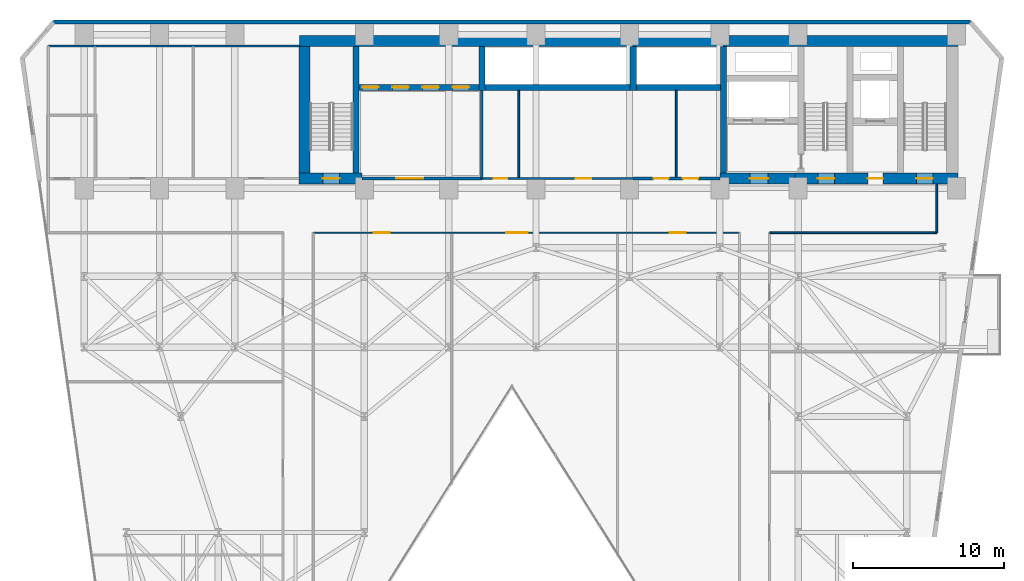
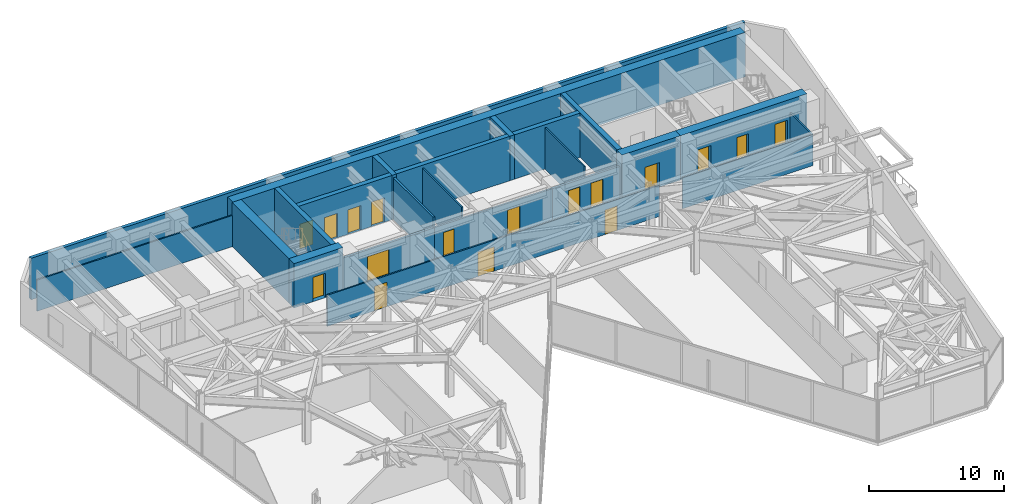
# One storey, part 20 of 24: 23 walls, 17 doors, 17 openings.
"""IFC4 building model written with IfcOpenShell, lengths in metres."""

from ifc_helpers import new_model, si_unit, direction, frame, frame_2d, origin, place, context, subcontext, project, spatial, rectangle, extrude, material, layer, layer_set, type_object, element, fill, save


model = new_model("IFC4")

# Units and contexts
model_context = context("Model", 3, precision=1e-05, world=origin(), true_north=direction((0.0, 1.0)))
body_context = subcontext(model_context, "Body", "Model", "MODEL_VIEW")
ifc_project = project(units=[si_unit("LENGTHUNIT", "METRE"), si_unit("AREAUNIT", "SQUARE_METRE"), si_unit("VOLUMEUNIT", "CUBIC_METRE"), si_unit("PLANEANGLEUNIT", "RADIAN"), si_unit("MASSUNIT", "GRAM", prefix="KILO")], contexts=[model_context])

# Site, building, storey
site_placement = place(None, origin())
site = spatial("IfcSite", under=ifc_project, at=site_placement, CompositionType="ELEMENT")
building_placement = place(site_placement, origin())
building = spatial("IfcBuilding", under=site, at=building_placement, Name="Kravanh Interchange Tower", CompositionType="ELEMENT")
storey_placement = place(building_placement, frame((0.0, 0.0, 37.5)))
storey = spatial("IfcBuildingStorey", under=building, at=storey_placement, Name="L08", CompositionType="ELEMENT", Elevation=37.5)

# Walls
ifc_material_1 = material(Name="Double Acoustic Gypsum Board and Mineral Wool")
ifc_layer_1 = layer(ifc_material_1, 0.1201171875)
ifc_layer_set_1 = layer_set([ifc_layer_1], Name="Acoustic Office Drywall Partition 120mm")
wall_type_1 = type_object("IfcWallType", Name="Acoustic Office Drywall Partition 120mm", PredefinedType="PARTITIONING", material=ifc_layer_set_1)
for number, where, z_axis, x_axis, name in (
    (1, (47.89990234375, 38.068115234375, 0.0), (0.0, 0.0, 1.0), (0.0, 1.0, 0.0), "L08 Interior Partition 2"),
    (2, (37.449951171875, 38.068115234375, 0.0), (0.0, 0.0, 1.0), (0.0, 1.0, 0.0), "L08 Interior Partition 6"),
):
    element("IfcWall", number, at=place(storey_placement, frame(where, z_axis=z_axis, x_axis=x_axis)), inside=storey, type_object=wall_type_1, Name=name, PredefinedType="PARTITIONING", context=body_context, shape_type="SweptSolid", body=[
        extrude(rectangle(XDim=5.77392578125, YDim=0.1201171875, at=frame_2d((2.886962890625, 0.0))), origin(), (0.0, 0.0, 1.0), 3.739990234375),
    ])
wall_1_placement = place(storey_placement, frame((6.219970703125, 46.800048828125, 0.0), z_axis=(0.0, 0.0, 1.0), x_axis=(1.0, 0.0, 0.0)))
element("IfcWall", 3, at=wall_1_placement, inside=storey, type_object=wall_type_1, Name="L08 Restroom North Enclosure 9", PredefinedType="PARTITIONING", context=body_context, shape_type="SweptSolid", body=[
    extrude(rectangle(XDim=16.679931640625, YDim=0.1201171875, at=frame_2d((8.33984375, 0.0))), origin(), (0.0, 0.0, 1.0), 2.81298828125),
])

# Wall, openings, doors
wall_2_placement = place(storey_placement, frame((23.800048828125, 34.39990234375, 0.0), z_axis=(0.0, 0.0, 1.0), x_axis=(1.0, 0.0, 0.0)))
wall_2 = element("IfcWall", 4, at=wall_2_placement, inside=storey, type_object=wall_type_1, Name="L08 Interior Partition 14", PredefinedType="PARTITIONING", context=body_context, shape_type="SweptSolid", body=[
    extrude(rectangle(XDim=28.300048828125, YDim=0.1201171875, at=frame_2d((14.14990234375, 0.0))), origin(), (0.0, 0.0, 1.0), 2.81298828125),
])
opening_1_placement = place(wall_2_placement, frame((4.03466796875, 0.0, 0.0)))
opening_1 = element("IfcOpeningElement", 5, at=opening_1_placement, cuts=wall_2, Name="Opening D-105", PredefinedType="OPENING", context=body_context, shape_type="SweptSolid", body=[
    extrude(rectangle(XDim=1.050048828125, YDim=2.199951171875, at=frame_2d((0.52490234375, 1.10009765625))), frame((0.0, 0.070068359375, 0.0), z_axis=(0.0, -1.0, 0.0), x_axis=(1.0, 0.0, 0.0)), (0.0, 0.0, 1.0), 0.14013671875),
])
opening_2_placement = place(wall_2_placement, frame((12.832275390625, 0.0, 0.0)))
opening_2 = element("IfcOpeningElement", 6, at=opening_2_placement, cuts=wall_2, Name="Opening DBL-140", PredefinedType="OPENING", context=body_context, shape_type="SweptSolid", body=[
    extrude(rectangle(XDim=1.39990234375, YDim=2.199951171875, at=frame_2d((0.699951171875, 1.10009765625))), frame((0.0, 0.070068359375, 0.0), z_axis=(0.0, -1.0, 0.0), x_axis=(1.0, 0.0, 0.0)), (0.0, 0.0, 1.0), 0.14013671875),
])
opening_3_placement = place(wall_2_placement, frame((23.6845703125, 0.0, 0.0)))
opening_3 = element("IfcOpeningElement", 7, at=opening_3_placement, cuts=wall_2, Name="Opening D-105", PredefinedType="OPENING", context=body_context, shape_type="SweptSolid", body=[
    extrude(rectangle(XDim=1.050048828125, YDim=2.199951171875, at=frame_2d((0.52490234375, 1.10009765625))), frame((0.0, 0.070068359375, 0.0), z_axis=(0.0, -1.0, 0.0), x_axis=(1.0, 0.0, 0.0)), (0.0, 0.0, 1.0), 0.14013671875),
])
ifc_material_2 = material(Name="Acoustic Bronze-Framed Glass", Category="glass")
door_type_1 = type_object("IfcDoorType", Name="Hospitality Lounge Double Door 1400x2200", OperationType="DOUBLE_DOOR_SINGLE_SWING", PredefinedType="DOOR", material=ifc_material_2)
door_1_placement = place(opening_2_placement, origin())
door_1 = element("IfcDoor", 8, at=door_1_placement, inside=storey, type_object=door_type_1, Name="L08 Design Studio Office Door", OperationType="DOUBLE_DOOR_SINGLE_SWING", OverallHeight=2.199951171875, OverallWidth=1.39990234375, PredefinedType="DOOR", context=body_context, shape_type="SweptSolid", body=[
    extrude(rectangle(XDim=1.39990234375, YDim=2.199951171875, at=frame_2d((0.699951171875, 1.10009765625))), frame((0.0, 0.02490234375, 0.0), z_axis=(0.0, -1.0, 0.0), x_axis=(1.0, 0.0, 0.0)), (0.0, 0.0, 1.0), 0.050048828125),
])
fill(opening_2, door_1)
ifc_material_3 = material(Name="Acoustic Glazed Oak and Aluminium", Category="aluminium")
door_type_2 = type_object("IfcDoorType", Name="Office Workplace Door 1050x2200", OperationType="NOTDEFINED", PredefinedType="DOOR", material=ifc_material_3)
door_2_placement = place(opening_1_placement, origin())
door_2 = element("IfcDoor", 9, at=door_2_placement, inside=storey, type_object=door_type_2, Name="L08 Central Townhall Meeting Hall Door", OperationType="SINGLE_SWING_RIGHT", OverallHeight=2.199951171875, OverallWidth=1.050048828125, PredefinedType="DOOR", context=body_context, shape_type="SweptSolid", body=[
    extrude(rectangle(XDim=1.050048828125, YDim=2.199951171875, at=frame_2d((0.52490234375, 1.10009765625))), frame((0.0, 0.02490234375, 0.0), z_axis=(0.0, -1.0, 0.0), x_axis=(1.0, 0.0, 0.0)), (0.0, 0.0, 1.0), 0.050048828125),
])
fill(opening_1, door_2)
door_3_placement = place(opening_3_placement, origin())
door_3 = element("IfcDoor", 10, at=door_3_placement, inside=storey, type_object=door_type_2, Name="L08 Espresso Pantry Kitchenette Door", OperationType="SINGLE_SWING_LEFT", OverallHeight=2.199951171875, OverallWidth=1.050048828125, PredefinedType="DOOR", context=body_context, shape_type="SweptSolid", body=[
    extrude(rectangle(XDim=1.050048828125, YDim=2.199951171875, at=frame_2d((0.52490234375, 1.10009765625))), frame((0.0, 0.02490234375, 0.0), z_axis=(0.0, -1.0, 0.0), x_axis=(1.0, 0.0, 0.0)), (0.0, 0.0, 1.0), 0.050048828125),
])
fill(opening_3, door_3)

# Walls
wall_3_placement = place(storey_placement, frame((54.10009765625, 34.39990234375, 0.0), z_axis=(0.0, 0.0, 1.0), x_axis=(1.0, 0.0, 0.0)))
element("IfcWall", 11, at=wall_3_placement, inside=storey, type_object=wall_type_1, Name="L08 Interior Partition 15", PredefinedType="PARTITIONING", context=body_context, shape_type="SweptSolid", body=[
    extrude(rectangle(XDim=11.099853515625, YDim=0.1201171875, at=frame_2d((5.5498046875, 0.0))), origin(), (0.0, 0.0, 1.0), 2.81298828125),
])
wall_4_placement = place(storey_placement, frame((65.199951171875, 34.39990234375, 0.0), z_axis=(0.0, 0.0, 1.0), x_axis=(0.0, 1.0, 0.0)))
element("IfcWall", 12, at=wall_4_placement, inside=storey, type_object=wall_type_1, Name="L08 Interior Partition 17", PredefinedType="PARTITIONING", context=body_context, shape_type="SweptSolid", body=[
    extrude(rectangle(XDim=3.217041015625, YDim=0.1201171875, at=frame_2d((1.6083984375, 0.0))), origin(), (0.0, 0.0, 1.0), 2.81298828125),
])
ifc_material_4 = material(Name="Concrete C80/95", Category="concrete")
ifc_layer_2 = layer(ifc_material_4, 0.39990234375)
ifc_layer_set_2 = layer_set([ifc_layer_2], Name="Core Shear Wall Concrete C80/95 400mm")
wall_type_2 = type_object("IfcWallType", Name="Core Shear Wall Concrete C80/95 400mm", PredefinedType="SHEAR", material=ifc_layer_set_2)
wall_5_placement = place(storey_placement, frame((51.050048828125, 38.375, 0.0), z_axis=(0.0, 0.0, 1.0), x_axis=(0.0, 1.0, 0.0)))
element("IfcWall", 13, at=wall_5_placement, inside=storey, type_object=wall_type_2, Name="L08 Firefighting Lobby West Wall", PredefinedType="SHEAR", context=body_context, shape_type="SweptSolid", body=[
    extrude(rectangle(XDim=8.375, YDim=0.39990234375, at=frame_2d((4.1875, 0.0))), origin(), (0.0, 0.0, 1.0), 4.0),
])
wall_6_placement = place(storey_placement, frame((45.25, 44.050048828125, 0.0), z_axis=(0.0, 0.0, 1.0), x_axis=(1.0, 0.0, 0.0)))
element("IfcWall", 14, at=wall_6_placement, inside=storey, type_object=wall_type_2, Name="L08 High-Rise Lift Shaft South Wall", PredefinedType="SHEAR", context=body_context, shape_type="SweptSolid", body=[
    extrude(rectangle(XDim=5.60009765625, YDim=0.39990234375, at=frame_2d((2.800048828125, 0.0))), origin(), (0.0, 0.0, 1.0), 4.0),
])
wall_7_placement = place(storey_placement, frame((45.050048828125, 43.85009765625, 0.0), z_axis=(0.0, 0.0, 1.0), x_axis=(0.0, 1.0, 0.0)))
element("IfcWall", 15, at=wall_7_placement, inside=storey, type_object=wall_type_2, Name="L08 High-Rise Lift Shaft West Wall", PredefinedType="SHEAR", context=body_context, shape_type="SweptSolid", body=[
    extrude(rectangle(XDim=2.89990234375, YDim=0.39990234375, at=frame_2d((1.449951171875, 0.0))), origin(), (0.0, 0.0, 1.0), 4.0),
])
wall_8_placement = place(storey_placement, frame((35.199951171875, 44.050048828125, 0.0), z_axis=(0.0, 0.0, 1.0), x_axis=(1.0, 0.0, 0.0)))
element("IfcWall", 16, at=wall_8_placement, inside=storey, type_object=wall_type_2, Name="L08 Mid-Rise Lift Shaft South Wall", PredefinedType="SHEAR", context=body_context, shape_type="SweptSolid", body=[
    extrude(rectangle(XDim=9.650146484375, YDim=0.39990234375, at=frame_2d((4.8251953125, 0.0))), origin(), (0.0, 0.0, 1.0), 4.0),
])
wall_9_placement = place(storey_placement, frame((35.0, 43.85009765625, 0.0), z_axis=(0.0, 0.0, 1.0), x_axis=(0.0, 1.0, 0.0)))
element("IfcWall", 17, at=wall_9_placement, inside=storey, type_object=wall_type_2, Name="L08 Mid-Rise Lift Shaft West Wall", PredefinedType="SHEAR", context=body_context, shape_type="SweptSolid", body=[
    extrude(rectangle(XDim=2.89990234375, YDim=0.39990234375, at=frame_2d((1.449951171875, 0.0))), origin(), (0.0, 0.0, 1.0), 4.0),
])

# Wall, openings, doors
wall_10_placement = place(storey_placement, frame((26.85009765625, 44.050048828125, 0.0), z_axis=(0.0, 0.0, 1.0), x_axis=(1.0, 0.0, 0.0)))
wall_10 = element("IfcWall", 18, at=wall_10_placement, inside=storey, type_object=wall_type_2, Name="L08 Low-Rise Lift Shaft South Wall", PredefinedType="SHEAR", context=body_context, shape_type="SweptSolid", body=[
    extrude(rectangle(XDim=7.949951171875, YDim=0.39990234375, at=frame_2d((3.97509765625, 0.0))), origin(), (0.0, 0.0, 1.0), 4.0),
])
opening_4_placement = place(wall_10_placement, frame((0.199951171875, 0.0, 0.0)))
opening_4 = element("IfcOpeningElement", 19, at=opening_4_placement, cuts=wall_10, Name="Opening LD01", PredefinedType="OPENING", context=body_context, shape_type="SweptSolid", body=[
    extrude(rectangle(XDim=1.10009765625, YDim=2.199951171875, at=frame_2d((0.550048828125, 1.10009765625))), frame((0.0, 0.2099609375, 0.0), z_axis=(0.0, -1.0, 0.0), x_axis=(1.0, 0.0, 0.0)), (0.0, 0.0, 1.0), 0.419921875),
])
opening_5_placement = place(wall_10_placement, frame((2.199951171875, 0.0, 0.0)))
opening_5 = element("IfcOpeningElement", 20, at=opening_5_placement, cuts=wall_10, Name="Opening LD01", PredefinedType="OPENING", context=body_context, shape_type="SweptSolid", body=[
    extrude(rectangle(XDim=1.10009765625, YDim=2.199951171875, at=frame_2d((0.550048828125, 1.10009765625))), frame((0.0, 0.2099609375, 0.0), z_axis=(0.0, -1.0, 0.0), x_axis=(1.0, 0.0, 0.0)), (0.0, 0.0, 1.0), 0.419921875),
])
opening_6_placement = place(wall_10_placement, frame((4.199951171875, 0.0, 0.0)))
opening_6 = element("IfcOpeningElement", 21, at=opening_6_placement, cuts=wall_10, Name="Opening LD01", PredefinedType="OPENING", context=body_context, shape_type="SweptSolid", body=[
    extrude(rectangle(XDim=1.10009765625, YDim=2.199951171875, at=frame_2d((0.550048828125, 1.10009765625))), frame((0.0, 0.2099609375, 0.0), z_axis=(0.0, -1.0, 0.0), x_axis=(1.0, 0.0, 0.0)), (0.0, 0.0, 1.0), 0.419921875),
])
opening_7_placement = place(wall_10_placement, frame((6.199951171875, 0.0, 0.0)))
opening_7 = element("IfcOpeningElement", 22, at=opening_7_placement, cuts=wall_10, Name="Opening LD01", PredefinedType="OPENING", context=body_context, shape_type="SweptSolid", body=[
    extrude(rectangle(XDim=1.10009765625, YDim=2.199951171875, at=frame_2d((0.550048828125, 1.10009765625))), frame((0.0, 0.2099609375, 0.0), z_axis=(0.0, -1.0, 0.0), x_axis=(1.0, 0.0, 0.0)), (0.0, 0.0, 1.0), 0.419921875),
])
ifc_material_5 = material(Name="Stainless Steel 304", Category="steel")
door_type_3 = type_object("IfcDoorType", Name="Passenger Lift Sliding Landing Door 1100x2200", OperationType="DOUBLE_DOOR_SLIDING", PredefinedType="DOOR", material=ifc_material_5)
door_4_placement = place(opening_4_placement, origin())
door_4 = element("IfcDoor", 23, at=door_4_placement, inside=storey, type_object=door_type_3, Name="L08 Lift LP-L1 Landing Door", OperationType="DOUBLE_DOOR_SLIDING", OverallHeight=2.199951171875, OverallWidth=1.10009765625, PredefinedType="DOOR", context=body_context, shape_type="SweptSolid", body=[
    extrude(rectangle(XDim=1.10009765625, YDim=2.199951171875, at=frame_2d((0.550048828125, 1.10009765625))), frame((0.0, 0.02490234375, 0.0), z_axis=(0.0, -1.0, 0.0), x_axis=(1.0, 0.0, 0.0)), (0.0, 0.0, 1.0), 0.050048828125),
])
fill(opening_4, door_4)
door_5_placement = place(opening_5_placement, origin())
door_5 = element("IfcDoor", 24, at=door_5_placement, inside=storey, type_object=door_type_3, Name="L08 Lift LP-L2 Landing Door", OperationType="DOUBLE_DOOR_SLIDING", OverallHeight=2.199951171875, OverallWidth=1.10009765625, PredefinedType="DOOR", context=body_context, shape_type="SweptSolid", body=[
    extrude(rectangle(XDim=1.10009765625, YDim=2.199951171875, at=frame_2d((0.550048828125, 1.10009765625))), frame((0.0, 0.02490234375, 0.0), z_axis=(0.0, -1.0, 0.0), x_axis=(1.0, 0.0, 0.0)), (0.0, 0.0, 1.0), 0.050048828125),
])
fill(opening_5, door_5)
door_6_placement = place(opening_6_placement, origin())
door_6 = element("IfcDoor", 25, at=door_6_placement, inside=storey, type_object=door_type_3, Name="L08 Lift LP-L3 Landing Door", OperationType="DOUBLE_DOOR_SLIDING", OverallHeight=2.199951171875, OverallWidth=1.10009765625, PredefinedType="DOOR", context=body_context, shape_type="SweptSolid", body=[
    extrude(rectangle(XDim=1.10009765625, YDim=2.199951171875, at=frame_2d((0.550048828125, 1.10009765625))), frame((0.0, 0.02490234375, 0.0), z_axis=(0.0, -1.0, 0.0), x_axis=(1.0, 0.0, 0.0)), (0.0, 0.0, 1.0), 0.050048828125),
])
fill(opening_6, door_6)
door_7_placement = place(opening_7_placement, origin())
door_7 = element("IfcDoor", 26, at=door_7_placement, inside=storey, type_object=door_type_3, Name="L08 Lift LP-L4 Landing Door", OperationType="DOUBLE_DOOR_SLIDING", OverallHeight=2.199951171875, OverallWidth=1.10009765625, PredefinedType="DOOR", context=body_context, shape_type="SweptSolid", body=[
    extrude(rectangle(XDim=1.10009765625, YDim=2.199951171875, at=frame_2d((0.550048828125, 1.10009765625))), frame((0.0, 0.02490234375, 0.0), z_axis=(0.0, -1.0, 0.0), x_axis=(1.0, 0.0, 0.0)), (0.0, 0.0, 1.0), 0.050048828125),
])
fill(opening_7, door_7)

# Walls
wall_11_placement = place(storey_placement, frame((26.64990234375, 38.375, 0.0), z_axis=(0.0, 0.0, 1.0), x_axis=(0.0, 1.0, 0.0)))
element("IfcWall", 27, at=wall_11_placement, inside=storey, type_object=wall_type_2, Name="L08 Stair ST3 East Shear Wall", PredefinedType="SHEAR", context=body_context, shape_type="SweptSolid", body=[
    extrude(rectangle(XDim=8.375, YDim=0.39990234375, at=frame_2d((4.1875, 0.0))), origin(), (0.0, 0.0, 1.0), 4.0),
])
ifc_material_6 = material(Name="Concrete C80/95", Category="concrete")
ifc_layer_3 = layer(ifc_material_6, 0.75)
ifc_layer_set_3 = layer_set([ifc_layer_3], Name="Core Shear Wall Concrete C80/95 750mm")
wall_type_3 = type_object("IfcWallType", Name="Core Shear Wall Concrete C80/95 750mm", PredefinedType="SHEAR", material=ifc_layer_set_3)
wall_12_placement = place(storey_placement, frame((22.89990234375, 47.125, 0.0), z_axis=(0.0, 0.0, 1.0), x_axis=(1.0, 0.0, 0.0)))
element("IfcWall", 28, at=wall_12_placement, inside=storey, type_object=wall_type_3, Name="L08 North Core Shear Wall", PredefinedType="SHEAR", context=body_context, shape_type="SweptSolid", body=[
    extrude(rectangle(XDim=43.7001953125, YDim=0.75, at=frame_2d((21.85009765625, 0.0))), origin(), (0.0, 0.0, 1.0), 4.0),
])

# Wall, openings, doors
wall_13_placement = place(storey_placement, frame((55.800048828125, 38.0, 0.0), z_axis=(0.0, 0.0, 1.0), x_axis=(1.0, 0.0, 0.0)))
wall_13 = element("IfcWall", 29, at=wall_13_placement, inside=storey, type_object=wall_type_3, Name="L08 East Core South Shear Wall", PredefinedType="SHEAR", context=body_context, shape_type="SweptSolid", body=[
    extrude(rectangle(XDim=10.800048828125, YDim=0.75, at=frame_2d((5.39990234375, 0.0))), origin(), (0.0, 0.0, 1.0), 4.0),
])
opening_8_placement = place(wall_13_placement, frame((1.5, 0.0, 0.0)))
opening_8 = element("IfcOpeningElement", 30, at=opening_8_placement, cuts=wall_13, Name="Opening D-STAIR-110", PredefinedType="OPENING", context=body_context, shape_type="SweptSolid", body=[
    extrude(rectangle(XDim=1.10009765625, YDim=2.199951171875, at=frame_2d((0.550048828125, 1.10009765625))), frame((0.0, 0.385009765625, 0.0), z_axis=(0.0, -1.0, 0.0), x_axis=(1.0, 0.0, 0.0)), (0.0, 0.0, 1.0), 0.77001953125),
])
opening_9_placement = place(wall_13_placement, frame((4.820068359375, 0.0, 0.0)))
opening_9 = element("IfcOpeningElement", 31, at=opening_9_placement, cuts=wall_13, Name="Opening D-HOTEL-100", PredefinedType="OPENING", context=body_context, shape_type="SweptSolid", body=[
    extrude(rectangle(XDim=1.0, YDim=2.14990234375, at=frame_2d((0.5, 1.074951171875))), frame((0.0, 0.385009765625, 0.0), z_axis=(0.0, -1.0, 0.0), x_axis=(1.0, 0.0, 0.0)), (0.0, 0.0, 1.0), 0.77001953125),
])
opening_10_placement = place(wall_13_placement, frame((8.050048828125, 0.0, 0.0)))
opening_10 = element("IfcOpeningElement", 32, at=opening_10_placement, cuts=wall_13, Name="Opening D-STAIR-110", PredefinedType="OPENING", context=body_context, shape_type="SweptSolid", body=[
    extrude(rectangle(XDim=1.10009765625, YDim=2.199951171875, at=frame_2d((0.550048828125, 1.10009765625))), frame((0.0, 0.385009765625, 0.0), z_axis=(0.0, -1.0, 0.0), x_axis=(1.0, 0.0, 0.0)), (0.0, 0.0, 1.0), 0.77001953125),
])
ifc_material_7 = material(Name="Structural Steel S355", Category="steel")
door_type_4 = type_object("IfcDoorType", Name="Fire-Rated Exit Stair Door 1100x2200", OperationType="NOTDEFINED", PredefinedType="DOOR", material=ifc_material_7)
door_8_placement = place(opening_8_placement, origin())
door_8 = element("IfcDoor", 33, at=door_8_placement, inside=storey, type_object=door_type_4, Name="L08 Exit Stair ST2 Door", OperationType="SINGLE_SWING_RIGHT", OverallHeight=2.199951171875, OverallWidth=1.10009765625, PredefinedType="DOOR", context=body_context, shape_type="SweptSolid", body=[
    extrude(rectangle(XDim=1.10009765625, YDim=2.199951171875, at=frame_2d((0.550048828125, 1.10009765625))), frame((0.0, 0.02490234375, 0.0), z_axis=(0.0, -1.0, 0.0), x_axis=(1.0, 0.0, 0.0)), (0.0, 0.0, 1.0), 0.050048828125),
])
fill(opening_8, door_8)
door_9_placement = place(opening_10_placement, origin())
door_9 = element("IfcDoor", 34, at=door_9_placement, inside=storey, type_object=door_type_4, Name="L08 Exit Stair ST1 Door", OperationType="SINGLE_SWING_RIGHT", OverallHeight=2.199951171875, OverallWidth=1.10009765625, PredefinedType="DOOR", context=body_context, shape_type="SweptSolid", body=[
    extrude(rectangle(XDim=1.10009765625, YDim=2.199951171875, at=frame_2d((0.550048828125, 1.10009765625))), frame((0.0, 0.02490234375, 0.0), z_axis=(0.0, -1.0, 0.0), x_axis=(1.0, 0.0, 0.0)), (0.0, 0.0, 1.0), 0.050048828125),
])
fill(opening_10, door_9)
ifc_material_8 = material(Name="Fire-Rated Solid Timber Leaf", Category="wood")
door_type_5 = type_object("IfcDoorType", Name="Fire-Rated Suite Entrance Door 1000x2150", OperationType="NOTDEFINED", PredefinedType="DOOR", material=ifc_material_8)
door_10_placement = place(opening_9_placement, origin())
door_10 = element("IfcDoor", 35, at=door_10_placement, inside=storey, type_object=door_type_5, Name="L08 Service Lift Lobby Door", OperationType="SINGLE_SWING_RIGHT", OverallHeight=2.14990234375, OverallWidth=1.0, PredefinedType="DOOR", context=body_context, shape_type="SweptSolid", body=[
    extrude(rectangle(XDim=1.0, YDim=2.14990234375, at=frame_2d((0.5, 1.074951171875))), frame((0.0, 0.02490234375, 0.0), z_axis=(0.0, -1.0, 0.0), x_axis=(1.0, 0.0, 0.0)), (0.0, 0.0, 1.0), 0.050048828125),
])
fill(opening_9, door_10)

# Wall, opening, door
wall_14_placement = place(storey_placement, frame((50.800048828125, 38.0, 0.0), z_axis=(0.0, 0.0, 1.0), x_axis=(1.0, 0.0, 0.0)))
wall_14 = element("IfcWall", 36, at=wall_14_placement, inside=storey, type_object=wall_type_3, Name="L08 Firefighting Lobby South Shear Wall", PredefinedType="SHEAR", context=body_context, shape_type="SweptSolid", body=[
    extrude(rectangle(XDim=5.0, YDim=0.75, at=frame_2d((2.5, 0.0))), origin(), (0.0, 0.0, 1.0), 4.0),
])
opening_11_placement = place(wall_14_placement, frame((2.0, 0.0, 0.0)))
opening_11 = element("IfcOpeningElement", 37, at=opening_11_placement, cuts=wall_14, Name="Opening D-FSAE-120", PredefinedType="OPENING", context=body_context, shape_type="SweptSolid", body=[
    extrude(rectangle(XDim=1.199951171875, YDim=2.199951171875, at=frame_2d((0.60009765625, 1.10009765625))), frame((0.0, 0.385009765625, 0.0), z_axis=(0.0, -1.0, 0.0), x_axis=(1.0, 0.0, 0.0)), (0.0, 0.0, 1.0), 0.77001953125),
])
ifc_material_9 = material(Name="Structural Steel S355", Category="steel")
door_type_6 = type_object("IfcDoorType", Name="Fire-Rated Refuge and FSAE Door 1200x2200", OperationType="NOTDEFINED", PredefinedType="DOOR", material=ifc_material_9)
door_11_placement = place(opening_11_placement, origin())
door_11 = element("IfcDoor", 38, at=door_11_placement, inside=storey, type_object=door_type_6, Name="L08 Firefighting Lobby Corridor Door", OperationType="SINGLE_SWING_RIGHT", OverallHeight=2.199951171875, OverallWidth=1.199951171875, PredefinedType="DOOR", context=body_context, shape_type="SweptSolid", body=[
    extrude(rectangle(XDim=1.199951171875, YDim=2.199951171875, at=frame_2d((0.60009765625, 1.10009765625))), frame((0.0, 0.02490234375, 0.0), z_axis=(0.0, -1.0, 0.0), x_axis=(1.0, 0.0, 0.0)), (0.0, 0.0, 1.0), 0.050048828125),
])
fill(opening_11, door_11)

wall_15_placement = place(storey_placement, frame((22.85009765625, 38.0, 0.0), z_axis=(0.0, 0.0, 1.0), x_axis=(1.0, 0.0, 0.0)))
wall_15 = element("IfcWall", 39, at=wall_15_placement, inside=storey, type_object=wall_type_3, Name="L08 Stair ST3 South Shear Wall", PredefinedType="SHEAR", context=body_context, shape_type="SweptSolid", body=[
    extrude(rectangle(XDim=4.199951171875, YDim=0.75, at=frame_2d((2.10009765625, 0.0))), origin(), (0.0, 0.0, 1.0), 4.0),
])
opening_12_placement = place(wall_15_placement, frame((1.60009765625, 0.0, 0.0)))
opening_12 = element("IfcOpeningElement", 40, at=opening_12_placement, cuts=wall_15, Name="Opening D-STAIR-110", PredefinedType="OPENING", context=body_context, shape_type="SweptSolid", body=[
    extrude(rectangle(XDim=1.10009765625, YDim=2.199951171875, at=frame_2d((0.550048828125, 1.10009765625))), frame((0.0, 0.385009765625, 0.0), z_axis=(0.0, -1.0, 0.0), x_axis=(1.0, 0.0, 0.0)), (0.0, 0.0, 1.0), 0.77001953125),
])
door_12_placement = place(opening_12_placement, origin())
door_12 = element("IfcDoor", 41, at=door_12_placement, inside=storey, type_object=door_type_4, Name="L08 Exit Stair ST3 Door", OperationType="SINGLE_SWING_RIGHT", OverallHeight=2.199951171875, OverallWidth=1.10009765625, PredefinedType="DOOR", context=body_context, shape_type="SweptSolid", body=[
    extrude(rectangle(XDim=1.10009765625, YDim=2.199951171875, at=frame_2d((0.550048828125, 1.10009765625))), frame((0.0, 0.02490234375, 0.0), z_axis=(0.0, -1.0, 0.0), x_axis=(1.0, 0.0, 0.0)), (0.0, 0.0, 1.0), 0.050048828125),
])
fill(opening_12, door_12)

# Walls
wall_16_placement = place(storey_placement, frame((23.22509765625, 38.375, 0.0), z_axis=(0.0, 0.0, 1.0), x_axis=(0.0, 1.0, 0.0)))
element("IfcWall", 42, at=wall_16_placement, inside=storey, type_object=wall_type_3, Name="L08 Stair ST3 West Shear Wall", PredefinedType="SHEAR", context=body_context, shape_type="SweptSolid", body=[
    extrude(rectangle(XDim=8.375, YDim=0.75, at=frame_2d((4.1875, 0.0))), origin(), (0.0, 0.0, 1.0), 4.0),
])
ifc_material_10 = material(Name="Insulated Precast Concrete C40/50 with Bronze Cladding", Category="concrete")
ifc_layer_4 = layer(ifc_material_10, 0.280029296875)
ifc_layer_set_4 = layer_set([ifc_layer_4], Name="Exterior Insulated Concrete C40/50 Bronze Spandrel Wall 280mm")
wall_type_4 = type_object("IfcWallType", Name="Exterior Insulated Concrete C40/50 Bronze Spandrel Wall 280mm", PredefinedType="STANDARD", material=ifc_layer_set_4)
wall_17_placement = place(storey_placement, frame((6.5546875, 48.3798828125, 0.0), z_axis=(0.0, 0.0, 1.0), x_axis=(1.0, 0.0, 0.0)))
element("IfcWall", 43, at=wall_17_placement, inside=storey, type_object=wall_type_4, Name="L08 Exterior Wall 3", PredefinedType="STANDARD", context=body_context, shape_type="SweptSolid", body=[
    extrude(rectangle(XDim=60.890625, YDim=0.280029296875, at=frame_2d((30.4453125, 0.0))), origin(), (0.0, 0.0, 1.0), 3.739990234375),
])

# Wall, openings, doors
ifc_material_11 = material(Name="Autoclaved Aerated Concrete C30/37 Blockwork", Category="masonry")
ifc_layer_5 = layer(ifc_material_11, 0.179931640625)
ifc_layer_set_5 = layer_set([ifc_layer_5], Name="Fire-Rated Lobby and Corridor Wall Concrete C30/37 180mm")
wall_type_5 = type_object("IfcWallType", Name="Fire-Rated Lobby and Corridor Wall Concrete C30/37 180mm", PredefinedType="STANDARD", material=ifc_layer_set_5)
wall_18_placement = place(storey_placement, frame((45.050048828125, 38.0, 0.0), z_axis=(0.0, 0.0, 1.0), x_axis=(1.0, 0.0, 0.0)))
wall_18 = element("IfcWall", 44, at=wall_18_placement, inside=storey, type_object=wall_type_5, Name="L08 Core South Enclosure 1", PredefinedType="STANDARD", context=body_context, shape_type="SweptSolid", body=[
    extrude(rectangle(XDim=5.75, YDim=0.179931640625, at=frame_2d((2.875, 0.0))), origin(), (0.0, 0.0, 1.0), 2.81298828125),
])
opening_13_placement = place(wall_18_placement, frame((1.35009765625, 0.0, 0.0)))
opening_13 = element("IfcOpeningElement", 45, at=opening_13_placement, cuts=wall_18, Name="Opening D-HOTEL-100", PredefinedType="OPENING", context=body_context, shape_type="SweptSolid", body=[
    extrude(rectangle(XDim=1.0, YDim=2.14990234375, at=frame_2d((0.5, 1.074951171875))), frame((0.0, 0.10009765625, 0.0), z_axis=(0.0, -1.0, 0.0), x_axis=(1.0, 0.0, 0.0)), (0.0, 0.0, 1.0), 0.199951171875),
])
opening_14_placement = place(wall_18_placement, frame((3.300048828125, 0.0, 0.0)))
opening_14 = element("IfcOpeningElement", 46, at=opening_14_placement, cuts=wall_18, Name="Opening D-HOTEL-100", PredefinedType="OPENING", context=body_context, shape_type="SweptSolid", body=[
    extrude(rectangle(XDim=1.0, YDim=2.14990234375, at=frame_2d((0.5, 1.074951171875))), frame((0.0, 0.10009765625, 0.0), z_axis=(0.0, -1.0, 0.0), x_axis=(1.0, 0.0, 0.0)), (0.0, 0.0, 1.0), 0.199951171875),
])
door_13_placement = place(opening_13_placement, origin())
door_13 = element("IfcDoor", 47, at=door_13_placement, inside=storey, type_object=door_type_5, Name="L08 Core Switchroom Door", OperationType="SINGLE_SWING_RIGHT", OverallHeight=2.14990234375, OverallWidth=1.0, PredefinedType="DOOR", context=body_context, shape_type="SweptSolid", body=[
    extrude(rectangle(XDim=1.0, YDim=2.14990234375, at=frame_2d((0.5, 1.074951171875))), frame((0.0, 0.02490234375, 0.0), z_axis=(0.0, -1.0, 0.0), x_axis=(1.0, 0.0, 0.0)), (0.0, 0.0, 1.0), 0.050048828125),
])
fill(opening_13, door_13)
door_14_placement = place(opening_14_placement, origin())
door_14 = element("IfcDoor", 48, at=door_14_placement, inside=storey, type_object=door_type_5, Name="L08 Core Archive Door", OperationType="SINGLE_SWING_LEFT", OverallHeight=2.14990234375, OverallWidth=1.0, PredefinedType="DOOR", context=body_context, shape_type="SweptSolid", body=[
    extrude(rectangle(XDim=1.0, YDim=2.14990234375, at=frame_2d((0.5, 1.074951171875))), frame((0.0, 0.02490234375, 0.0), z_axis=(0.0, -1.0, 0.0), x_axis=(1.0, 0.0, 0.0)), (0.0, 0.0, 1.0), 0.050048828125),
])
fill(opening_14, door_14)

# Wall
wall_19_placement = place(storey_placement, frame((35.0, 38.0, 0.0), z_axis=(0.0, 0.0, 1.0), x_axis=(0.0, 1.0, 0.0)))
element("IfcWall", 49, at=wall_19_placement, inside=storey, type_object=wall_type_5, Name="L08 Low-Rise Lobby East Wall 3", PredefinedType="STANDARD", context=body_context, shape_type="SweptSolid", body=[
    extrude(rectangle(XDim=5.85009765625, YDim=0.179931640625, at=frame_2d((2.925048828125, 0.0))), origin(), (0.0, 0.0, 1.0), 3.739990234375),
])

# Wall, opening, door
wall_20_placement = place(storey_placement, frame((27.050048828125, 38.0, 0.0), z_axis=(0.0, 0.0, 1.0), x_axis=(1.0, 0.0, 0.0)))
wall_20 = element("IfcWall", 50, at=wall_20_placement, inside=storey, type_object=wall_type_5, Name="L08 Low-Rise Lobby South Wall 4", PredefinedType="STANDARD", context=body_context, shape_type="SweptSolid", body=[
    extrude(rectangle(XDim=7.949951171875, YDim=0.179931640625, at=frame_2d((3.97509765625, 0.0))), origin(), (0.0, 0.0, 1.0), 2.81298828125),
])
opening_15_placement = place(wall_20_placement, frame((2.25, 0.0, 0.0)))
opening_15 = element("IfcOpeningElement", 51, at=opening_15_placement, cuts=wall_20, Name="Opening DBL-180", PredefinedType="OPENING", context=body_context, shape_type="SweptSolid", body=[
    extrude(rectangle(XDim=1.800048828125, YDim=2.199951171875, at=frame_2d((0.89990234375, 1.10009765625))), frame((0.0, 0.10009765625, 0.0), z_axis=(0.0, -1.0, 0.0), x_axis=(1.0, 0.0, 0.0)), (0.0, 0.0, 1.0), 0.199951171875),
])
ifc_material_12 = material(Name="Structural Steel S355", Category="steel")
door_type_7 = type_object("IfcDoorType", Name="Lift Lobby Double Fire Door 1800x2200", OperationType="DOUBLE_DOOR_SINGLE_SWING", PredefinedType="DOOR", material=ifc_material_12)
door_15_placement = place(opening_15_placement, origin())
door_15 = element("IfcDoor", 52, at=door_15_placement, inside=storey, type_object=door_type_7, Name="L08 Low-Rise Lift Lobby Door", OperationType="DOUBLE_DOOR_SINGLE_SWING", OverallHeight=2.199951171875, OverallWidth=1.800048828125, PredefinedType="DOOR", context=body_context, shape_type="SweptSolid", body=[
    extrude(rectangle(XDim=1.800048828125, YDim=2.199951171875, at=frame_2d((0.89990234375, 1.10009765625))), frame((0.0, 0.02490234375, 0.0), z_axis=(0.0, -1.0, 0.0), x_axis=(1.0, 0.0, 0.0)), (0.0, 0.0, 1.0), 0.050048828125),
])
fill(opening_15, door_15)

# Wall, openings, doors
ifc_material_13 = material(Name="Twin Stud Acoustic Gypsum Board Wall")
ifc_layer_6 = layer(ifc_material_13, 0.14990234375)
ifc_layer_set_6 = layer_set([ifc_layer_6], Name="Medium-Duty Acoustic Partition 150mm")
wall_type_6 = type_object("IfcWallType", Name="Medium-Duty Acoustic Partition 150mm", PredefinedType="PARTITIONING", material=ifc_layer_set_6)
wall_21_placement = place(storey_placement, frame((35.0, 38.0, 0.0), z_axis=(0.0, 0.0, 1.0), x_axis=(1.0, 0.0, 0.0)))
wall_21 = element("IfcWall", 53, at=wall_21_placement, inside=storey, type_object=wall_type_6, Name="L08 Core Support South Wall 5", PredefinedType="PARTITIONING", context=body_context, shape_type="SweptSolid", body=[
    extrude(rectangle(XDim=10.050048828125, YDim=0.14990234375, at=frame_2d((5.02490234375, 0.0))), origin(), (0.0, 0.0, 1.0), 2.81298828125),
])
opening_16_placement = place(wall_21_placement, frame((0.78466796875, 0.0, 0.0)))
opening_16 = element("IfcOpeningElement", 54, at=opening_16_placement, cuts=wall_21, Name="Opening D-90", PredefinedType="OPENING", context=body_context, shape_type="SweptSolid", body=[
    extrude(rectangle(XDim=0.89990234375, YDim=2.10009765625, at=frame_2d((0.449951171875, 1.050048828125))), frame((0.0, 0.0849609375, 0.0), z_axis=(0.0, -1.0, 0.0), x_axis=(1.0, 0.0, 0.0)), (0.0, 0.0, 1.0), 0.169921875),
])
opening_17_placement = place(wall_21_placement, frame((6.22509765625, 0.0, 0.0)))
opening_17 = element("IfcOpeningElement", 55, at=opening_17_placement, cuts=wall_21, Name="Opening D-105", PredefinedType="OPENING", context=body_context, shape_type="SweptSolid", body=[
    extrude(rectangle(XDim=1.050048828125, YDim=2.199951171875, at=frame_2d((0.52490234375, 1.10009765625))), frame((0.0, 0.0849609375, 0.0), z_axis=(0.0, -1.0, 0.0), x_axis=(1.0, 0.0, 0.0)), (0.0, 0.0, 1.0), 0.169921875),
])
door_16_placement = place(opening_17_placement, origin())
door_16 = element("IfcDoor", 56, at=door_16_placement, inside=storey, type_object=door_type_2, Name="L08 Tenant Pantry Door", OperationType="SINGLE_SWING_LEFT", OverallHeight=2.199951171875, OverallWidth=1.050048828125, PredefinedType="DOOR", context=body_context, shape_type="SweptSolid", body=[
    extrude(rectangle(XDim=1.050048828125, YDim=2.199951171875, at=frame_2d((0.52490234375, 1.10009765625))), frame((0.0, 0.02490234375, 0.0), z_axis=(0.0, -1.0, 0.0), x_axis=(1.0, 0.0, 0.0)), (0.0, 0.0, 1.0), 0.050048828125),
])
fill(opening_17, door_16)
ifc_material_14 = material(Name="Painted Solid-Core Timber", Category="wood")
door_type_8 = type_object("IfcDoorType", Name="Service Room Door 900x2100", OperationType="NOTDEFINED", PredefinedType="DOOR", material=ifc_material_14)
door_17_placement = place(opening_16_placement, origin())
door_17 = element("IfcDoor", 57, at=door_17_placement, inside=storey, type_object=door_type_8, Name="L08 Riser Store Door", OperationType="SINGLE_SWING_RIGHT", OverallHeight=2.10009765625, OverallWidth=0.89990234375, PredefinedType="DOOR", context=body_context, shape_type="SweptSolid", body=[
    extrude(rectangle(XDim=0.89990234375, YDim=2.10009765625, at=frame_2d((0.449951171875, 1.050048828125))), frame((0.0, 0.02490234375, 0.0), z_axis=(0.0, -1.0, 0.0), x_axis=(1.0, 0.0, 0.0)), (0.0, 0.0, 1.0), 0.050048828125),
])
fill(opening_16, door_17)

save(model, "model.ifc")
